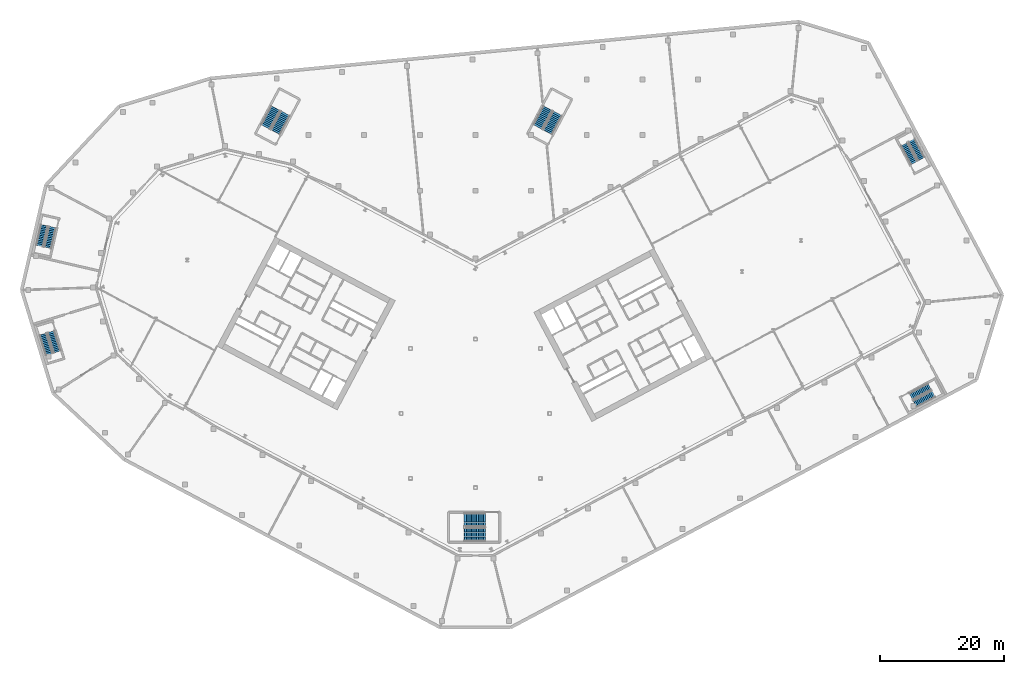
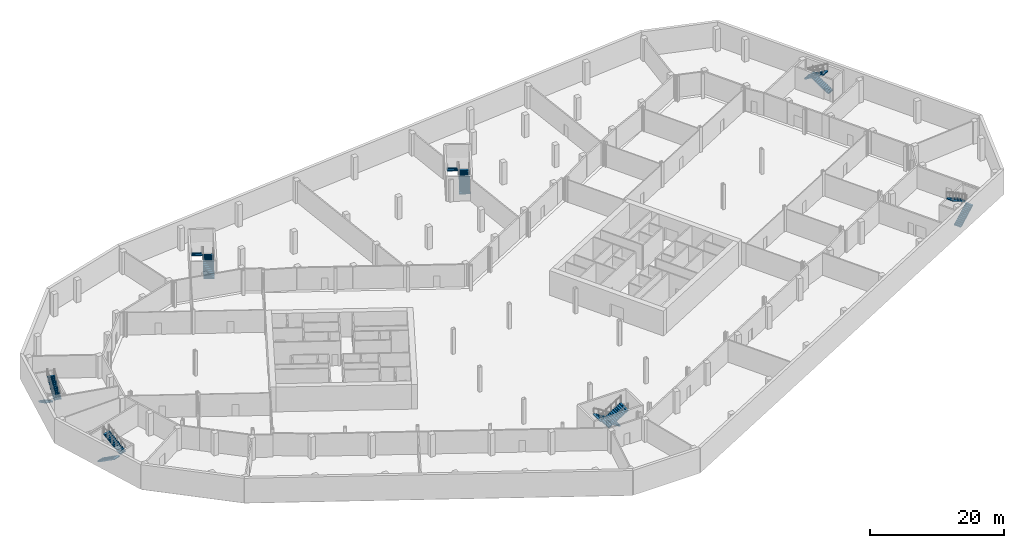
# One storey, part 20 of 27: 14 stair flights, 7 elements without a shape of their own.
"""IFC4 building model written with IfcOpenShell, lengths in metres."""

from ifc_helpers import new_model, si_unit, direction, frame, origin, place, context, subcontext, project, spatial, polyline, outline, extrude, material, layer, layer_set, type_object, element, aggregate, save


model = new_model("IFC4")

# Units and contexts
model_context = context("Model", 3, precision=1e-05, world=origin(), true_north=direction((0.0, 1.0)))
body_context = subcontext(model_context, "Body", "Model", "MODEL_VIEW")
ifc_project = project(units=[si_unit("LENGTHUNIT", "METRE"), si_unit("AREAUNIT", "SQUARE_METRE"), si_unit("VOLUMEUNIT", "CUBIC_METRE"), si_unit("PLANEANGLEUNIT", "RADIAN"), si_unit("MASSUNIT", "GRAM", prefix="KILO")], contexts=[model_context])

# Site, building, storey
site_placement = place(None, origin())
site = spatial("IfcSite", under=ifc_project, at=site_placement, CompositionType="ELEMENT")
building_placement = place(site_placement, origin())
building = spatial("IfcBuilding", under=site, at=building_placement, Name="Cormorant Relay Tower", CompositionType="ELEMENT")
storey_placement = place(building_placement, frame((0.0, 0.0, -4.5)))
storey = spatial("IfcBuildingStorey", under=building, at=storey_placement, Name="B1", CompositionType="ELEMENT", Elevation=-4.5)

# Stair, stair flights
ifc_material_1 = material(Name="Concrete 40 MPa", Category="concrete")
stair_type_1 = type_object("IfcStairType", Name="Exit stair 1200", PredefinedType="HALF_TURN_STAIR", material=ifc_material_1)
stair_1_placement = place(storey_placement, origin())
stair_1 = element("IfcStair", 1, at=stair_1_placement, inside=storey, type_object=stair_type_1, Name="B1 Exit stair", PredefinedType="HALF_TURN_STAIR")
ifc_material_2 = material(Name="Concrete 40 MPa", Category="concrete")
ifc_layer = layer(ifc_material_2, 0.14990234375)
ifc_layer_set = layer_set([ifc_layer], Name="Exit stair flight 1200")
stair_flight_type_1 = type_object("IfcStairFlightType", Name="Exit stair flight 1200", PredefinedType="STRAIGHT", material=ifc_layer_set)
stair_flight_1_placement = place(storey_placement, frame((71.090087890625, 1.556884765625, 0.0), z_axis=(0.0, 0.0, 1.0), x_axis=(0.882947592859, 0.469471562786, 0.0)))
stair_flight_1 = element("IfcStairFlight", 2, at=stair_flight_1_placement, type_object=stair_flight_type_1, Name="X1 flight 1", NumberOfRisers=13, NumberOfTreads=12, PredefinedType="STRAIGHT", RiserHeight=0.173076923, TreadLength=0.28, context=body_context, shape_type="SweptSolid", body=[
    extrude(outline(polyline([(-0.050048828125, -0.080078125), (-0.050048828125, 0.0), (0.0, 0.0), (0.0, 0.173095703125), (0.280029296875, 0.173095703125), (0.280029296875, 0.34619140625), (0.56005859375, 0.34619140625), (0.56005859375, 0.519287109375), (0.840087890625, 0.519287109375), (0.840087890625, 0.6923828125), (1.1201171875, 0.6923828125), (1.1201171875, 0.865478515625), (1.39990234375, 0.865478515625), (1.39990234375, 1.03857421875), (1.679931640625, 1.03857421875), (1.679931640625, 1.21142578125), (1.9599609375, 1.21142578125), (1.9599609375, 1.384521484375), (2.239990234375, 1.384521484375), (2.239990234375, 1.5576171875), (2.52001953125, 1.5576171875), (2.52001953125, 1.730712890625), (2.800048828125, 1.730712890625), (2.800048828125, 1.90380859375), (3.080078125, 1.90380859375), (3.080078125, 2.076904296875), (3.360107421875, 2.076904296875), (3.41015625, 2.076904296875), (3.41015625, 1.900634765625), (3.360107421875, 1.900634765625), (0.28515625, 0.0), (-0.050048828125, -0.080078125)])), frame((0.0, 0.60009765625, 0.0), z_axis=(0.0, -1.0, 0.0), x_axis=(1.0, 0.0, 0.0)), (0.0, 0.0, 1.0), 1.199951171875),
])
stair_flight_2_placement = place(storey_placement, frame((73.4228515625, 4.326416015625, 2.25), z_axis=(0.0, 0.0, 1.0), x_axis=(-0.882947592859, -0.469471562786, 0.0)))
stair_flight_2 = element("IfcStairFlight", 3, at=stair_flight_2_placement, type_object=stair_flight_type_1, Name="X1 flight 2", NumberOfRisers=13, NumberOfTreads=12, PredefinedType="STRAIGHT", RiserHeight=0.173076923, TreadLength=0.28, context=body_context, shape_type="SweptSolid", body=[
    extrude(outline(polyline([(-0.050048828125, -0.080078125), (-0.050048828125, 0.0), (0.0, 0.0), (0.0, 0.173095703125), (0.280029296875, 0.173095703125), (0.280029296875, 0.34619140625), (0.56005859375, 0.34619140625), (0.56005859375, 0.519287109375), (0.840087890625, 0.519287109375), (0.840087890625, 0.6923828125), (1.1201171875, 0.6923828125), (1.1201171875, 0.865478515625), (1.39990234375, 0.865478515625), (1.39990234375, 1.03857421875), (1.679931640625, 1.03857421875), (1.679931640625, 1.21142578125), (1.9599609375, 1.21142578125), (1.9599609375, 1.384521484375), (2.239990234375, 1.384521484375), (2.239990234375, 1.5576171875), (2.52001953125, 1.5576171875), (2.52001953125, 1.730712890625), (2.800048828125, 1.730712890625), (2.800048828125, 1.90380859375), (3.080078125, 1.90380859375), (3.080078125, 2.076904296875), (3.360107421875, 2.076904296875), (3.41015625, 2.076904296875), (3.41015625, 1.900634765625), (3.360107421875, 1.900634765625), (0.28515625, 0.0), (-0.050048828125, -0.080078125)])), frame((0.0, 0.60009765625, 0.0), z_axis=(0.0, -1.0, 0.0), x_axis=(1.0, 0.0, 0.0)), (0.0, 0.0, 1.0), 1.199951171875),
])
aggregate(stair_1, [stair_flight_1, stair_flight_2])

stair_2_placement = place(storey_placement, origin())
stair_2 = element("IfcStair", 4, at=stair_2_placement, inside=storey, type_object=stair_type_1, Name="B1 Exit stair", PredefinedType="HALF_TURN_STAIR")
stair_flight_3_placement = place(storey_placement, frame((72.107666015625, 41.1796875, 0.0), z_axis=(0.0, 0.0, 1.0), x_axis=(-0.469471562786, 0.882947592859, 0.0)))
stair_flight_3 = element("IfcStairFlight", 5, at=stair_flight_3_placement, type_object=stair_flight_type_1, Name="X2 flight 1", NumberOfRisers=13, NumberOfTreads=12, PredefinedType="STRAIGHT", RiserHeight=0.173076923, TreadLength=0.28, context=body_context, shape_type="SweptSolid", body=[
    extrude(outline(polyline([(-0.050048828125, -0.080078125), (-0.050048828125, 0.0), (0.0, 0.0), (0.0, 0.173095703125), (0.280029296875, 0.173095703125), (0.280029296875, 0.34619140625), (0.56005859375, 0.34619140625), (0.56005859375, 0.519287109375), (0.840087890625, 0.519287109375), (0.840087890625, 0.6923828125), (1.1201171875, 0.6923828125), (1.1201171875, 0.865478515625), (1.39990234375, 0.865478515625), (1.39990234375, 1.03857421875), (1.679931640625, 1.03857421875), (1.679931640625, 1.21142578125), (1.9599609375, 1.21142578125), (1.9599609375, 1.384521484375), (2.239990234375, 1.384521484375), (2.239990234375, 1.5576171875), (2.52001953125, 1.5576171875), (2.52001953125, 1.730712890625), (2.800048828125, 1.730712890625), (2.800048828125, 1.90380859375), (3.080078125, 1.90380859375), (3.080078125, 2.076904296875), (3.360107421875, 2.076904296875), (3.41015625, 2.076904296875), (3.41015625, 1.900634765625), (3.360107421875, 1.900634765625), (0.28515625, 0.0), (-0.050048828125, -0.080078125)])), frame((0.0, 0.60009765625, 0.0), z_axis=(0.0, -1.0, 0.0), x_axis=(1.0, 0.0, 0.0)), (0.0, 0.0, 1.0), 1.199951171875),
])
stair_flight_4_placement = place(storey_placement, frame((69.33837890625, 43.5126953125, 2.25), z_axis=(0.0, 0.0, 1.0), x_axis=(0.469471562786, -0.882947592859, 0.0)))
stair_flight_4 = element("IfcStairFlight", 6, at=stair_flight_4_placement, type_object=stair_flight_type_1, Name="X2 flight 2", NumberOfRisers=13, NumberOfTreads=12, PredefinedType="STRAIGHT", RiserHeight=0.173076923, TreadLength=0.28, context=body_context, shape_type="SweptSolid", body=[
    extrude(outline(polyline([(-0.050048828125, -0.080078125), (-0.050048828125, 0.0), (0.0, 0.0), (0.0, 0.173095703125), (0.280029296875, 0.173095703125), (0.280029296875, 0.34619140625), (0.56005859375, 0.34619140625), (0.56005859375, 0.519287109375), (0.840087890625, 0.519287109375), (0.840087890625, 0.6923828125), (1.1201171875, 0.6923828125), (1.1201171875, 0.865478515625), (1.39990234375, 0.865478515625), (1.39990234375, 1.03857421875), (1.679931640625, 1.03857421875), (1.679931640625, 1.21142578125), (1.9599609375, 1.21142578125), (1.9599609375, 1.384521484375), (2.239990234375, 1.384521484375), (2.239990234375, 1.5576171875), (2.52001953125, 1.5576171875), (2.52001953125, 1.730712890625), (2.800048828125, 1.730712890625), (2.800048828125, 1.90380859375), (3.080078125, 1.90380859375), (3.080078125, 2.076904296875), (3.360107421875, 2.076904296875), (3.41015625, 2.076904296875), (3.41015625, 1.900634765625), (3.360107421875, 1.900634765625), (0.28515625, 0.0), (-0.050048828125, -0.080078125)])), frame((0.0, 0.60009765625, 0.0), z_axis=(0.0, -1.0, 0.0), x_axis=(1.0, 0.0, 0.0)), (0.0, 0.0, 1.0), 1.199951171875),
])
aggregate(stair_2, [stair_flight_3, stair_flight_4])

stair_3_placement = place(storey_placement, origin())
stair_3 = element("IfcStair", 7, at=stair_3_placement, inside=storey, type_object=stair_type_1, Name="B1 Exit stair", PredefinedType="HALF_TURN_STAIR")
stair_flight_5_placement = place(storey_placement, frame((-69.705322265625, 30.3720703125, 0.0), z_axis=(0.0, 0.0, 1.0), x_axis=(-0.224951054344, -0.974370064785, 0.0)))
stair_flight_5 = element("IfcStairFlight", 8, at=stair_flight_5_placement, type_object=stair_flight_type_1, Name="X3 flight 1", NumberOfRisers=13, NumberOfTreads=12, PredefinedType="STRAIGHT", RiserHeight=0.173076923, TreadLength=0.28, context=body_context, shape_type="SweptSolid", body=[
    extrude(outline(polyline([(-0.050048828125, -0.080078125), (-0.050048828125, 0.0), (0.0, 0.0), (0.0, 0.173095703125), (0.280029296875, 0.173095703125), (0.280029296875, 0.34619140625), (0.56005859375, 0.34619140625), (0.56005859375, 0.519287109375), (0.840087890625, 0.519287109375), (0.840087890625, 0.6923828125), (1.1201171875, 0.6923828125), (1.1201171875, 0.865478515625), (1.39990234375, 0.865478515625), (1.39990234375, 1.03857421875), (1.679931640625, 1.03857421875), (1.679931640625, 1.21142578125), (1.9599609375, 1.21142578125), (1.9599609375, 1.384521484375), (2.239990234375, 1.384521484375), (2.239990234375, 1.5576171875), (2.52001953125, 1.5576171875), (2.52001953125, 1.730712890625), (2.800048828125, 1.730712890625), (2.800048828125, 1.90380859375), (3.080078125, 1.90380859375), (3.080078125, 2.076904296875), (3.360107421875, 2.076904296875), (3.41015625, 2.076904296875), (3.41015625, 1.900634765625), (3.360107421875, 1.900634765625), (0.28515625, 0.0), (-0.050048828125, -0.080078125)])), frame((0.0, 0.60009765625, 0.0), z_axis=(0.0, -1.0, 0.0), x_axis=(1.0, 0.0, 0.0)), (0.0, 0.0, 1.0), 1.199951171875),
])
stair_flight_6_placement = place(storey_placement, frame((-69.14599609375, 26.79443359375, 2.25), z_axis=(0.0, 0.0, 1.0), x_axis=(0.224951054344, 0.974370064785, 0.0)))
stair_flight_6 = element("IfcStairFlight", 9, at=stair_flight_6_placement, type_object=stair_flight_type_1, Name="X3 flight 2", NumberOfRisers=13, NumberOfTreads=12, PredefinedType="STRAIGHT", RiserHeight=0.173076923, TreadLength=0.28, context=body_context, shape_type="SweptSolid", body=[
    extrude(outline(polyline([(-0.050048828125, -0.080078125), (-0.050048828125, 0.0), (0.0, 0.0), (0.0, 0.173095703125), (0.280029296875, 0.173095703125), (0.280029296875, 0.34619140625), (0.56005859375, 0.34619140625), (0.56005859375, 0.519287109375), (0.840087890625, 0.519287109375), (0.840087890625, 0.6923828125), (1.1201171875, 0.6923828125), (1.1201171875, 0.865478515625), (1.39990234375, 0.865478515625), (1.39990234375, 1.03857421875), (1.679931640625, 1.03857421875), (1.679931640625, 1.21142578125), (1.9599609375, 1.21142578125), (1.9599609375, 1.384521484375), (2.239990234375, 1.384521484375), (2.239990234375, 1.5576171875), (2.52001953125, 1.5576171875), (2.52001953125, 1.730712890625), (2.800048828125, 1.730712890625), (2.800048828125, 1.90380859375), (3.080078125, 1.90380859375), (3.080078125, 2.076904296875), (3.360107421875, 2.076904296875), (3.41015625, 2.076904296875), (3.41015625, 1.900634765625), (3.360107421875, 1.900634765625), (0.28515625, 0.0), (-0.050048828125, -0.080078125)])), frame((0.0, 0.60009765625, 0.0), z_axis=(0.0, -1.0, 0.0), x_axis=(1.0, 0.0, 0.0)), (0.0, 0.0, 1.0), 1.199951171875),
])
aggregate(stair_3, [stair_flight_5, stair_flight_6])

stair_4_placement = place(storey_placement, origin())
stair_4 = element("IfcStair", 10, at=stair_4_placement, inside=storey, type_object=stair_type_1, Name="B1 Exit stair", PredefinedType="HALF_TURN_STAIR")
stair_flight_7_placement = place(storey_placement, frame((-69.893798828125, 12.776611328125, 0.0), z_axis=(0.0, 0.0, 1.0), x_axis=(0.292371704723, -0.956304755963, 0.0)))
stair_flight_7 = element("IfcStairFlight", 11, at=stair_flight_7_placement, type_object=stair_flight_type_1, Name="X4 flight 1", NumberOfRisers=13, NumberOfTreads=12, PredefinedType="STRAIGHT", RiserHeight=0.173076923, TreadLength=0.28, context=body_context, shape_type="SweptSolid", body=[
    extrude(outline(polyline([(-0.050048828125, -0.080078125), (-0.050048828125, 0.0), (0.0, 0.0), (0.0, 0.173095703125), (0.280029296875, 0.173095703125), (0.280029296875, 0.34619140625), (0.56005859375, 0.34619140625), (0.56005859375, 0.519287109375), (0.840087890625, 0.519287109375), (0.840087890625, 0.6923828125), (1.1201171875, 0.6923828125), (1.1201171875, 0.865478515625), (1.39990234375, 0.865478515625), (1.39990234375, 1.03857421875), (1.679931640625, 1.03857421875), (1.679931640625, 1.21142578125), (1.9599609375, 1.21142578125), (1.9599609375, 1.384521484375), (2.239990234375, 1.384521484375), (2.239990234375, 1.5576171875), (2.52001953125, 1.5576171875), (2.52001953125, 1.730712890625), (2.800048828125, 1.730712890625), (2.800048828125, 1.90380859375), (3.080078125, 1.90380859375), (3.080078125, 2.076904296875), (3.360107421875, 2.076904296875), (3.41015625, 2.076904296875), (3.41015625, 1.900634765625), (3.360107421875, 1.900634765625), (0.28515625, 0.0), (-0.050048828125, -0.080078125)])), frame((0.0, 0.60009765625, 0.0), z_axis=(0.0, -1.0, 0.0), x_axis=(1.0, 0.0, 0.0)), (0.0, 0.0, 1.0), 1.199951171875),
])
stair_flight_8_placement = place(storey_placement, frame((-67.620361328125, 9.9580078125, 2.25), z_axis=(0.0, 0.0, 1.0), x_axis=(-0.292371704723, 0.956304755963, 0.0)))
stair_flight_8 = element("IfcStairFlight", 12, at=stair_flight_8_placement, type_object=stair_flight_type_1, Name="X4 flight 2", NumberOfRisers=13, NumberOfTreads=12, PredefinedType="STRAIGHT", RiserHeight=0.173076923, TreadLength=0.28, context=body_context, shape_type="SweptSolid", body=[
    extrude(outline(polyline([(-0.050048828125, -0.080078125), (-0.050048828125, 0.0), (0.0, 0.0), (0.0, 0.173095703125), (0.280029296875, 0.173095703125), (0.280029296875, 0.34619140625), (0.56005859375, 0.34619140625), (0.56005859375, 0.519287109375), (0.840087890625, 0.519287109375), (0.840087890625, 0.6923828125), (1.1201171875, 0.6923828125), (1.1201171875, 0.865478515625), (1.39990234375, 0.865478515625), (1.39990234375, 1.03857421875), (1.679931640625, 1.03857421875), (1.679931640625, 1.21142578125), (1.9599609375, 1.21142578125), (1.9599609375, 1.384521484375), (2.239990234375, 1.384521484375), (2.239990234375, 1.5576171875), (2.52001953125, 1.5576171875), (2.52001953125, 1.730712890625), (2.800048828125, 1.730712890625), (2.800048828125, 1.90380859375), (3.080078125, 1.90380859375), (3.080078125, 2.076904296875), (3.360107421875, 2.076904296875), (3.41015625, 2.076904296875), (3.41015625, 1.900634765625), (3.360107421875, 1.900634765625), (0.28515625, 0.0), (-0.050048828125, -0.080078125)])), frame((0.0, 0.60009765625, 0.0), z_axis=(0.0, -1.0, 0.0), x_axis=(1.0, 0.0, 0.0)), (0.0, 0.0, 1.0), 1.199951171875),
])
aggregate(stair_4, [stair_flight_7, stair_flight_8])

ifc_material_3 = material(Name="Concrete 40 MPa", Category="concrete")
stair_type_2 = type_object("IfcStairType", Name="Exit stair 1500", PredefinedType="HALF_TURN_STAIR", material=ifc_material_3)
stair_5_placement = place(storey_placement, origin())
stair_5 = element("IfcStair", 13, at=stair_5_placement, inside=storey, type_object=stair_type_2, Name="B1 Stair", PredefinedType="HALF_TURN_STAIR")
ifc_material_4 = material(Name="Concrete 40 MPa", Category="concrete")
stair_flight_type_2 = type_object("IfcStairFlightType", Name="Exit stair flight 1650", PredefinedType="STRAIGHT", material=ifc_material_4)
stair_flight_9_placement = place(storey_placement, frame((11.69140625, 45.50244140625, 0.0), z_axis=(0.0, 0.0, 1.0), x_axis=(0.4694717323, 0.882947502727, 0.0)))
stair_flight_9 = element("IfcStairFlight", 14, at=stair_flight_9_placement, type_object=stair_flight_type_2, Name="RN1 flight 1", NumberOfRisers=13, NumberOfTreads=12, PredefinedType="STRAIGHT", RiserHeight=0.173076923, TreadLength=0.28, context=body_context, shape_type="SweptSolid", body=[
    extrude(outline(polyline([(-0.050048828125, -0.080078125), (-0.050048828125, 0.0), (0.0, 0.0), (0.0, 0.173095703125), (0.280029296875, 0.173095703125), (0.280029296875, 0.34619140625), (0.56005859375, 0.34619140625), (0.56005859375, 0.519287109375), (0.840087890625, 0.519287109375), (0.840087890625, 0.6923828125), (1.1201171875, 0.6923828125), (1.1201171875, 0.865478515625), (1.39990234375, 0.865478515625), (1.39990234375, 1.03857421875), (1.679931640625, 1.03857421875), (1.679931640625, 1.21142578125), (1.9599609375, 1.21142578125), (1.9599609375, 1.384521484375), (2.239990234375, 1.384521484375), (2.239990234375, 1.5576171875), (2.52001953125, 1.5576171875), (2.52001953125, 1.730712890625), (2.800048828125, 1.730712890625), (2.800048828125, 1.90380859375), (3.080078125, 1.90380859375), (3.080078125, 2.076904296875), (3.360107421875, 2.076904296875), (3.41015625, 2.076904296875), (3.41015625, 1.900634765625), (3.360107421875, 1.900634765625), (0.28515625, 0.0), (-0.050048828125, -0.080078125)])), frame((0.0, 0.824951171875, 0.0), z_axis=(0.0, -1.0, 0.0), x_axis=(1.0, 0.0, 0.0)), (0.0, 0.0, 1.0), 1.64990234375),
])
stair_flight_10_placement = place(storey_placement, frame((11.679443359375, 49.314208984375, 2.25), z_axis=(0.0, 0.0, 1.0), x_axis=(-0.4694717323, -0.882947502727, 0.0)))
stair_flight_10 = element("IfcStairFlight", 15, at=stair_flight_10_placement, type_object=stair_flight_type_2, Name="RN1 flight 2", NumberOfRisers=13, NumberOfTreads=12, PredefinedType="STRAIGHT", RiserHeight=0.173076923, TreadLength=0.28, context=body_context, shape_type="SweptSolid", body=[
    extrude(outline(polyline([(-0.050048828125, -0.080078125), (-0.050048828125, 0.0), (0.0, 0.0), (0.0, 0.173095703125), (0.280029296875, 0.173095703125), (0.280029296875, 0.34619140625), (0.56005859375, 0.34619140625), (0.56005859375, 0.519287109375), (0.840087890625, 0.519287109375), (0.840087890625, 0.6923828125), (1.1201171875, 0.6923828125), (1.1201171875, 0.865478515625), (1.39990234375, 0.865478515625), (1.39990234375, 1.03857421875), (1.679931640625, 1.03857421875), (1.679931640625, 1.21142578125), (1.9599609375, 1.21142578125), (1.9599609375, 1.384521484375), (2.239990234375, 1.384521484375), (2.239990234375, 1.5576171875), (2.52001953125, 1.5576171875), (2.52001953125, 1.730712890625), (2.800048828125, 1.730712890625), (2.800048828125, 1.90380859375), (3.080078125, 1.90380859375), (3.080078125, 2.076904296875), (3.360107421875, 2.076904296875), (3.41015625, 2.076904296875), (3.41015625, 1.900634765625), (3.360107421875, 1.900634765625), (0.28515625, 0.0), (-0.050048828125, -0.080078125)])), frame((0.0, 0.824951171875, 0.0), z_axis=(0.0, -1.0, 0.0), x_axis=(1.0, 0.0, 0.0)), (0.0, 0.0, 1.0), 1.64990234375),
])
aggregate(stair_5, [stair_flight_9, stair_flight_10])

stair_6_placement = place(storey_placement, origin())
stair_6 = element("IfcStair", 16, at=stair_6_placement, inside=storey, type_object=stair_type_2, Name="B1 Stair", PredefinedType="HALF_TURN_STAIR")
stair_flight_11_placement = place(storey_placement, frame((-32.30859375, 45.50244140625, 0.0), z_axis=(0.0, 0.0, 1.0), x_axis=(0.4694717323, 0.882947502727, 0.0)))
stair_flight_11 = element("IfcStairFlight", 17, at=stair_flight_11_placement, type_object=stair_flight_type_2, Name="RN2 flight 1", NumberOfRisers=13, NumberOfTreads=12, PredefinedType="STRAIGHT", RiserHeight=0.173076923, TreadLength=0.28, context=body_context, shape_type="SweptSolid", body=[
    extrude(outline(polyline([(-0.050048828125, -0.080078125), (-0.050048828125, 0.0), (0.0, 0.0), (0.0, 0.173095703125), (0.280029296875, 0.173095703125), (0.280029296875, 0.34619140625), (0.56005859375, 0.34619140625), (0.56005859375, 0.519287109375), (0.840087890625, 0.519287109375), (0.840087890625, 0.6923828125), (1.1201171875, 0.6923828125), (1.1201171875, 0.865478515625), (1.39990234375, 0.865478515625), (1.39990234375, 1.03857421875), (1.679931640625, 1.03857421875), (1.679931640625, 1.21142578125), (1.9599609375, 1.21142578125), (1.9599609375, 1.384521484375), (2.239990234375, 1.384521484375), (2.239990234375, 1.5576171875), (2.52001953125, 1.5576171875), (2.52001953125, 1.730712890625), (2.800048828125, 1.730712890625), (2.800048828125, 1.90380859375), (3.080078125, 1.90380859375), (3.080078125, 2.076904296875), (3.360107421875, 2.076904296875), (3.41015625, 2.076904296875), (3.41015625, 1.900634765625), (3.360107421875, 1.900634765625), (0.28515625, 0.0), (-0.050048828125, -0.080078125)])), frame((0.0, 0.824951171875, 0.0), z_axis=(0.0, -1.0, 0.0), x_axis=(1.0, 0.0, 0.0)), (0.0, 0.0, 1.0), 1.64990234375),
])
stair_flight_12_placement = place(storey_placement, frame((-32.320556640625, 49.314208984375, 2.25), z_axis=(0.0, 0.0, 1.0), x_axis=(-0.4694717323, -0.882947502727, 0.0)))
stair_flight_12 = element("IfcStairFlight", 18, at=stair_flight_12_placement, type_object=stair_flight_type_2, Name="RN2 flight 2", NumberOfRisers=13, NumberOfTreads=12, PredefinedType="STRAIGHT", RiserHeight=0.173076923, TreadLength=0.28, context=body_context, shape_type="SweptSolid", body=[
    extrude(outline(polyline([(-0.050048828125, -0.080078125), (-0.050048828125, 0.0), (0.0, 0.0), (0.0, 0.173095703125), (0.280029296875, 0.173095703125), (0.280029296875, 0.34619140625), (0.56005859375, 0.34619140625), (0.56005859375, 0.519287109375), (0.840087890625, 0.519287109375), (0.840087890625, 0.6923828125), (1.1201171875, 0.6923828125), (1.1201171875, 0.865478515625), (1.39990234375, 0.865478515625), (1.39990234375, 1.03857421875), (1.679931640625, 1.03857421875), (1.679931640625, 1.21142578125), (1.9599609375, 1.21142578125), (1.9599609375, 1.384521484375), (2.239990234375, 1.384521484375), (2.239990234375, 1.5576171875), (2.52001953125, 1.5576171875), (2.52001953125, 1.730712890625), (2.800048828125, 1.730712890625), (2.800048828125, 1.90380859375), (3.080078125, 1.90380859375), (3.080078125, 2.076904296875), (3.360107421875, 2.076904296875), (3.41015625, 2.076904296875), (3.41015625, 1.900634765625), (3.360107421875, 1.900634765625), (0.28515625, 0.0), (-0.050048828125, -0.080078125)])), frame((0.0, 0.824951171875, 0.0), z_axis=(0.0, -1.0, 0.0), x_axis=(1.0, 0.0, 0.0)), (0.0, 0.0, 1.0), 1.64990234375),
])
aggregate(stair_6, [stair_flight_11, stair_flight_12])

ifc_material_5 = material(Name="Concrete 40 MPa", Category="concrete")
stair_type_3 = type_object("IfcStairType", Name="Remote exit stair 2200", PredefinedType="HALF_TURN_STAIR", material=ifc_material_5)
stair_7_placement = place(storey_placement, origin())
stair_7 = element("IfcStair", 19, at=stair_7_placement, inside=storey, type_object=stair_type_3, Name="B1 Stair", PredefinedType="HALF_TURN_STAIR")
ifc_material_6 = material(Name="Concrete 40 MPa", Category="concrete")
stair_flight_type_3 = type_object("IfcStairFlightType", Name="Remote exit stair flight 2200", PredefinedType="STRAIGHT", material=ifc_material_6)
stair_flight_13_placement = place(storey_placement, frame((1.60009765625, -17.22509765625, 0.0), z_axis=(0.0, 0.0, 1.0), x_axis=(-1.0, 0.0, 0.0)))
stair_flight_13 = element("IfcStairFlight", 20, at=stair_flight_13_placement, type_object=stair_flight_type_3, Name="RK1 flight 1", NumberOfRisers=13, NumberOfTreads=12, PredefinedType="STRAIGHT", RiserHeight=0.173076923, TreadLength=0.28, context=body_context, shape_type="SweptSolid", body=[
    extrude(outline(polyline([(-0.050048828125, -0.080078125), (-0.050048828125, 0.0), (0.0, 0.0), (0.0, 0.173095703125), (0.280029296875, 0.173095703125), (0.280029296875, 0.34619140625), (0.56005859375, 0.34619140625), (0.56005859375, 0.519287109375), (0.840087890625, 0.519287109375), (0.840087890625, 0.6923828125), (1.1201171875, 0.6923828125), (1.1201171875, 0.865478515625), (1.39990234375, 0.865478515625), (1.39990234375, 1.03857421875), (1.679931640625, 1.03857421875), (1.679931640625, 1.21142578125), (1.9599609375, 1.21142578125), (1.9599609375, 1.384521484375), (2.239990234375, 1.384521484375), (2.239990234375, 1.5576171875), (2.52001953125, 1.5576171875), (2.52001953125, 1.730712890625), (2.800048828125, 1.730712890625), (2.800048828125, 1.90380859375), (3.080078125, 1.90380859375), (3.080078125, 2.076904296875), (3.360107421875, 2.076904296875), (3.41015625, 2.076904296875), (3.41015625, 1.900634765625), (3.360107421875, 1.900634765625), (0.28515625, 0.0), (-0.050048828125, -0.080078125)])), frame((0.0, 1.10009765625, 0.0), z_axis=(0.0, -1.0, 0.0), x_axis=(1.0, 0.0, 0.0)), (0.0, 0.0, 1.0), 0.719970703125),
    extrude(outline(polyline([(-0.050048828125, -0.080078125), (-0.050048828125, 0.0), (0.0, 0.0), (0.0, 0.173095703125), (0.280029296875, 0.173095703125), (0.280029296875, 0.34619140625), (0.56005859375, 0.34619140625), (0.56005859375, 0.519287109375), (0.840087890625, 0.519287109375), (0.840087890625, 0.6923828125), (1.1201171875, 0.6923828125), (1.1201171875, 0.865478515625), (1.39990234375, 0.865478515625), (1.39990234375, 1.03857421875), (1.679931640625, 1.03857421875), (1.679931640625, 1.21142578125), (1.9599609375, 1.21142578125), (1.9599609375, 1.384521484375), (2.239990234375, 1.384521484375), (2.239990234375, 1.5576171875), (2.52001953125, 1.5576171875), (2.52001953125, 1.730712890625), (2.800048828125, 1.730712890625), (2.800048828125, 1.90380859375), (3.080078125, 1.90380859375), (3.080078125, 2.076904296875), (3.360107421875, 2.076904296875), (3.41015625, 2.076904296875), (3.41015625, 1.900634765625), (3.360107421875, 1.900634765625), (0.28515625, 0.0), (-0.050048828125, -0.080078125)])), frame((0.0, 0.360107421875, 0.0), z_axis=(0.0, -1.0, 0.0), x_axis=(1.0, 0.0, 0.0)), (0.0, 0.0, 1.0), 0.719970703125),
    extrude(outline(polyline([(-0.050048828125, -0.080078125), (-0.050048828125, 0.0), (0.0, 0.0), (0.0, 0.173095703125), (0.280029296875, 0.173095703125), (0.280029296875, 0.34619140625), (0.56005859375, 0.34619140625), (0.56005859375, 0.519287109375), (0.840087890625, 0.519287109375), (0.840087890625, 0.6923828125), (1.1201171875, 0.6923828125), (1.1201171875, 0.865478515625), (1.39990234375, 0.865478515625), (1.39990234375, 1.03857421875), (1.679931640625, 1.03857421875), (1.679931640625, 1.21142578125), (1.9599609375, 1.21142578125), (1.9599609375, 1.384521484375), (2.239990234375, 1.384521484375), (2.239990234375, 1.5576171875), (2.52001953125, 1.5576171875), (2.52001953125, 1.730712890625), (2.800048828125, 1.730712890625), (2.800048828125, 1.90380859375), (3.080078125, 1.90380859375), (3.080078125, 2.076904296875), (3.360107421875, 2.076904296875), (3.41015625, 2.076904296875), (3.41015625, 1.900634765625), (3.360107421875, 1.900634765625), (0.28515625, 0.0), (-0.050048828125, -0.080078125)])), frame((0.0, -0.3798828125, 0.0), z_axis=(0.0, -1.0, 0.0), x_axis=(1.0, 0.0, 0.0)), (0.0, 0.0, 1.0), 0.719970703125),
])
stair_flight_14_placement = place(storey_placement, frame((-1.760009765625, -19.574951171875, 2.25), z_axis=(0.0, 0.0, 1.0), x_axis=(1.0, 0.0, 0.0)))
stair_flight_14 = element("IfcStairFlight", 21, at=stair_flight_14_placement, type_object=stair_flight_type_3, Name="RK1 flight 2", NumberOfRisers=13, NumberOfTreads=12, PredefinedType="STRAIGHT", RiserHeight=0.173076923, TreadLength=0.28, context=body_context, shape_type="SweptSolid", body=[
    extrude(outline(polyline([(-0.050048828125, -0.080078125), (-0.050048828125, 0.0), (0.0, 0.0), (0.0, 0.173095703125), (0.280029296875, 0.173095703125), (0.280029296875, 0.34619140625), (0.56005859375, 0.34619140625), (0.56005859375, 0.519287109375), (0.840087890625, 0.519287109375), (0.840087890625, 0.6923828125), (1.1201171875, 0.6923828125), (1.1201171875, 0.865478515625), (1.39990234375, 0.865478515625), (1.39990234375, 1.03857421875), (1.679931640625, 1.03857421875), (1.679931640625, 1.21142578125), (1.9599609375, 1.21142578125), (1.9599609375, 1.384521484375), (2.239990234375, 1.384521484375), (2.239990234375, 1.5576171875), (2.52001953125, 1.5576171875), (2.52001953125, 1.730712890625), (2.800048828125, 1.730712890625), (2.800048828125, 1.90380859375), (3.080078125, 1.90380859375), (3.080078125, 2.076904296875), (3.360107421875, 2.076904296875), (3.41015625, 2.076904296875), (3.41015625, 1.900634765625), (3.360107421875, 1.900634765625), (0.28515625, 0.0), (-0.050048828125, -0.080078125)])), frame((0.0, 1.10009765625, 0.0), z_axis=(0.0, -1.0, 0.0), x_axis=(1.0, 0.0, 0.0)), (0.0, 0.0, 1.0), 0.719970703125),
    extrude(outline(polyline([(-0.050048828125, -0.080078125), (-0.050048828125, 0.0), (0.0, 0.0), (0.0, 0.173095703125), (0.280029296875, 0.173095703125), (0.280029296875, 0.34619140625), (0.56005859375, 0.34619140625), (0.56005859375, 0.519287109375), (0.840087890625, 0.519287109375), (0.840087890625, 0.6923828125), (1.1201171875, 0.6923828125), (1.1201171875, 0.865478515625), (1.39990234375, 0.865478515625), (1.39990234375, 1.03857421875), (1.679931640625, 1.03857421875), (1.679931640625, 1.21142578125), (1.9599609375, 1.21142578125), (1.9599609375, 1.384521484375), (2.239990234375, 1.384521484375), (2.239990234375, 1.5576171875), (2.52001953125, 1.5576171875), (2.52001953125, 1.730712890625), (2.800048828125, 1.730712890625), (2.800048828125, 1.90380859375), (3.080078125, 1.90380859375), (3.080078125, 2.076904296875), (3.360107421875, 2.076904296875), (3.41015625, 2.076904296875), (3.41015625, 1.900634765625), (3.360107421875, 1.900634765625), (0.28515625, 0.0), (-0.050048828125, -0.080078125)])), frame((0.0, 0.360107421875, 0.0), z_axis=(0.0, -1.0, 0.0), x_axis=(1.0, 0.0, 0.0)), (0.0, 0.0, 1.0), 0.719970703125),
    extrude(outline(polyline([(-0.050048828125, -0.080078125), (-0.050048828125, 0.0), (0.0, 0.0), (0.0, 0.173095703125), (0.280029296875, 0.173095703125), (0.280029296875, 0.34619140625), (0.56005859375, 0.34619140625), (0.56005859375, 0.519287109375), (0.840087890625, 0.519287109375), (0.840087890625, 0.6923828125), (1.1201171875, 0.6923828125), (1.1201171875, 0.865478515625), (1.39990234375, 0.865478515625), (1.39990234375, 1.03857421875), (1.679931640625, 1.03857421875), (1.679931640625, 1.21142578125), (1.9599609375, 1.21142578125), (1.9599609375, 1.384521484375), (2.239990234375, 1.384521484375), (2.239990234375, 1.5576171875), (2.52001953125, 1.5576171875), (2.52001953125, 1.730712890625), (2.800048828125, 1.730712890625), (2.800048828125, 1.90380859375), (3.080078125, 1.90380859375), (3.080078125, 2.076904296875), (3.360107421875, 2.076904296875), (3.41015625, 2.076904296875), (3.41015625, 1.900634765625), (3.360107421875, 1.900634765625), (0.28515625, 0.0), (-0.050048828125, -0.080078125)])), frame((0.0, -0.3798828125, 0.0), z_axis=(0.0, -1.0, 0.0), x_axis=(1.0, 0.0, 0.0)), (0.0, 0.0, 1.0), 0.719970703125),
])
aggregate(stair_7, [stair_flight_13, stair_flight_14])

save(model, "model.ifc")
